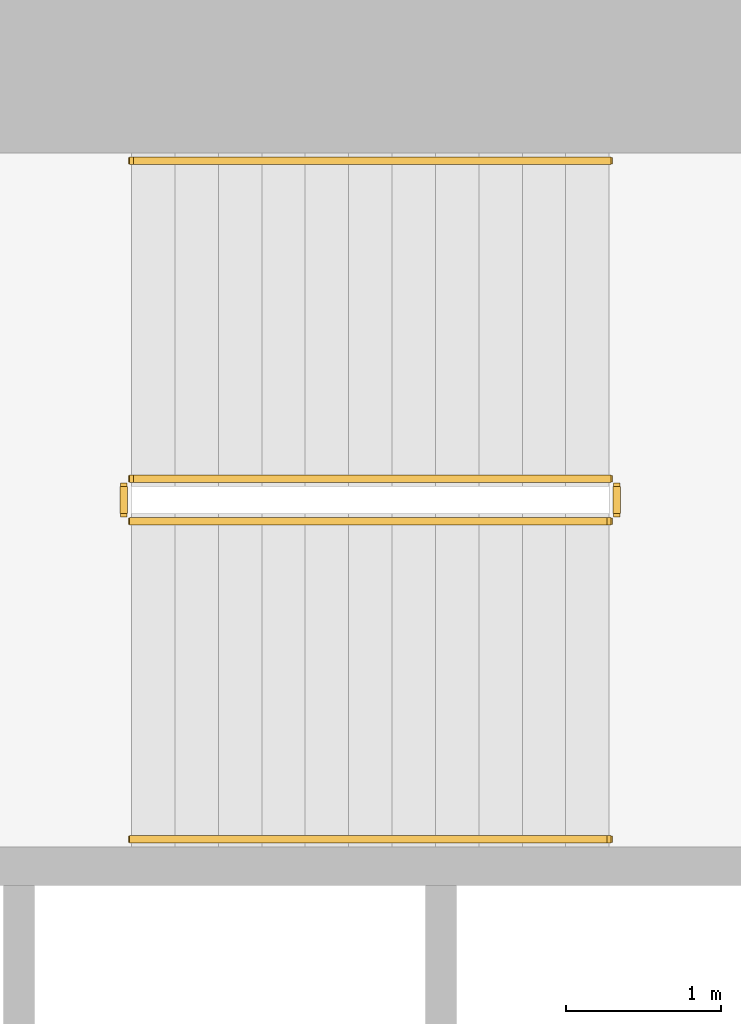
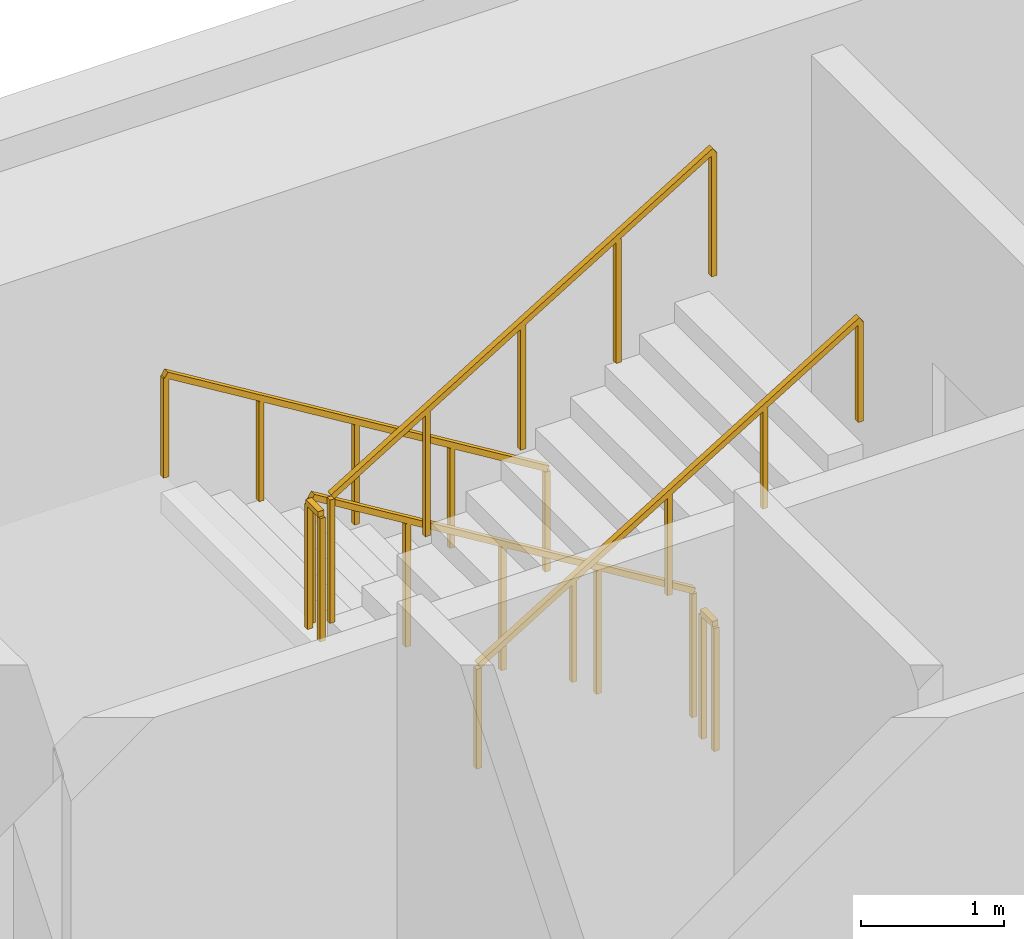
# One storey, part 15 of 16: 6 railings.
"""IFC4 building model written with IfcOpenShell, lengths in metres."""

from ifc_helpers import new_model, si_unit, direction, frame, origin, origin_2d, place, context, subcontext, project, spatial, rectangle, extrude, material, type_object, element, save


model = new_model("IFC4")

# Units and contexts
model_context = context("Model", 3, precision=1e-05, world=origin(), true_north=direction((0.0, 1.0)))
body_context = subcontext(model_context, "Body", "Model", "MODEL_VIEW")
ifc_project = project(units=[si_unit("LENGTHUNIT", "METRE"), si_unit("AREAUNIT", "SQUARE_METRE"), si_unit("VOLUMEUNIT", "CUBIC_METRE"), si_unit("PLANEANGLEUNIT", "RADIAN"), si_unit("MASSUNIT", "GRAM", prefix="KILO")], contexts=[model_context])

# Site, building, storey
site_placement = place(None, origin())
site = spatial("IfcSite", under=ifc_project, at=site_placement, CompositionType="ELEMENT")
building_placement = place(site_placement, origin())
building = spatial("IfcBuilding", under=site, at=building_placement, Name="Cypress Arch Tower", CompositionType="ELEMENT")
storey_placement = place(building_placement, frame((0.0, 0.0, 197.39990234375)))
storey = spatial("IfcBuildingStorey", under=building, at=storey_placement, Name="L43", CompositionType="ELEMENT", Elevation=197.39990234375)

# Railings
ifc_material_1 = material(Name="Black powder-coated steel square bar 48 mm", Category="steel")
railing_type_1 = type_object("IfcRailingType", Name="Stair handrail HR1", PredefinedType="HANDRAIL", material=ifc_material_1)
railing_1_placement = place(storey_placement, frame((-22.27490234375, 14.75, 0.1708984375)))
element("IfcRailing", 1, at=railing_1_placement, inside=storey, type_object=railing_type_1, Name="L43 B stair handrail 1", PredefinedType="HANDRAIL", context=body_context, shape_type="SweptSolid", body=[
    extrude(rectangle(XDim=0.048095703125, YDim=0.048095703125, at=origin_2d()), frame((0.0, 0.0, 0.8759765625), z_axis=(-0.853666305674, 0.0, 0.52082035152), x_axis=(0.0, -1.0, 0.0)), (0.0, 0.0, 1.0), 3.608154296875),
    extrude(rectangle(XDim=0.0419921875, YDim=0.0419921875, at=origin_2d()), origin(), (0.0, 0.0, 1.0), 0.851806640625),
    extrude(rectangle(XDim=0.0419921875, YDim=0.0419921875, at=origin_2d()), frame((-0.77001953125, 0.0, 0.4697265625)), (0.0, 0.0, 1.0), 0.851806640625),
    extrude(rectangle(XDim=0.0419921875, YDim=0.0419921875, at=origin_2d()), frame((-1.5400390625, 0.0, 0.939453125)), (0.0, 0.0, 1.0), 0.851806640625),
    extrude(rectangle(XDim=0.0419921875, YDim=0.0419921875, at=origin_2d()), frame((-2.31005859375, 0.0, 1.409423828125)), (0.0, 0.0, 1.0), 0.851806640625),
    extrude(rectangle(XDim=0.0419921875, YDim=0.0419921875, at=origin_2d()), frame((-3.080078125, 0.0, 1.879150390625)), (0.0, 0.0, 1.0), 0.851806640625),
])
railing_2_placement = place(storey_placement, frame((-25.35498046875, 10.375, 2.220947265625)))
element("IfcRailing", 2, at=railing_2_placement, inside=storey, type_object=railing_type_1, Name="L43 B stair handrail 2", PredefinedType="HANDRAIL", context=body_context, shape_type="SweptSolid", body=[
    extrude(rectangle(XDim=0.048095703125, YDim=0.048095703125, at=origin_2d()), frame((0.0, 0.0, 0.8759765625), z_axis=(0.853666305674, 0.0, 0.52082035152), x_axis=(0.0, 1.0, 0.0)), (0.0, 0.0, 1.0), 3.608154296875),
    extrude(rectangle(XDim=0.0419921875, YDim=0.0419921875, at=origin_2d()), origin(), (0.0, 0.0, 1.0), 0.851806640625),
    extrude(rectangle(XDim=0.0419921875, YDim=0.0419921875, at=origin_2d()), frame((0.77001953125, 0.0, 0.4697265625)), (0.0, 0.0, 1.0), 0.851806640625),
    extrude(rectangle(XDim=0.0419921875, YDim=0.0419921875, at=origin_2d()), frame((1.5400390625, 0.0, 0.939453125)), (0.0, 0.0, 1.0), 0.851806640625),
    extrude(rectangle(XDim=0.0419921875, YDim=0.0419921875, at=origin_2d()), frame((2.31005859375, 0.0, 1.409423828125)), (0.0, 0.0, 1.0), 0.851806640625),
    extrude(rectangle(XDim=0.0419921875, YDim=0.0419921875, at=origin_2d()), frame((3.080078125, 0.0, 1.879150390625)), (0.0, 0.0, 1.0), 0.851806640625),
])
ifc_material_2 = material(Name="Black powder-coated steel balusters", Category="steel")
railing_type_2 = type_object("IfcRailingType", Name="Stair well guard G1", PredefinedType="GUARDRAIL", material=ifc_material_2)
railing_3_placement = place(storey_placement, frame((-22.27490234375, 12.699951171875, 0.1708984375)))
element("IfcRailing", 3, at=railing_3_placement, inside=storey, type_object=railing_type_2, Name="L43 B stair guard 1", PredefinedType="GUARDRAIL", context=body_context, shape_type="SweptSolid", body=[
    extrude(rectangle(XDim=0.048095703125, YDim=0.048095703125, at=origin_2d()), frame((0.0, 0.0, 1.076171875), z_axis=(-0.853666305674, 0.0, 0.52082035152), x_axis=(0.0, -1.0, 0.0)), (0.0, 0.0, 1.0), 3.608154296875),
    extrude(rectangle(XDim=0.0419921875, YDim=0.0419921875, at=origin_2d()), origin(), (0.0, 0.0, 1.0), 1.052001953125),
    extrude(rectangle(XDim=0.0419921875, YDim=0.0419921875, at=origin_2d()), frame((-0.77001953125, 0.0, 0.4697265625)), (0.0, 0.0, 1.0), 1.052001953125),
    extrude(rectangle(XDim=0.0419921875, YDim=0.0419921875, at=origin_2d()), frame((-1.5400390625, 0.0, 0.939453125)), (0.0, 0.0, 1.0), 1.052001953125),
    extrude(rectangle(XDim=0.0419921875, YDim=0.0419921875, at=origin_2d()), frame((-2.31005859375, 0.0, 1.409423828125)), (0.0, 0.0, 1.0), 1.052001953125),
    extrude(rectangle(XDim=0.0419921875, YDim=0.0419921875, at=origin_2d()), frame((-3.080078125, 0.0, 1.879150390625)), (0.0, 0.0, 1.0), 1.052001953125),
])
railing_4_placement = place(storey_placement, frame((-25.405029296875, 12.64990234375, 2.050048828125)))
element("IfcRailing", 4, at=railing_4_placement, inside=storey, type_object=railing_type_2, Name="L43 B stair guard 2", PredefinedType="GUARDRAIL", context=body_context, shape_type="SweptSolid", body=[
    extrude(rectangle(XDim=0.048095703125, YDim=0.048095703125, at=origin_2d()), frame((0.0, 0.0, 1.076171875), z_axis=(0.0, -1.0, 0.0), x_axis=(1.0, 0.0, 0.0)), (0.0, 0.0, 1.0), 0.1748046875),
    extrude(rectangle(XDim=0.0419921875, YDim=0.0419921875, at=origin_2d()), origin(), (0.0, 0.0, 1.0), 1.052001953125),
    extrude(rectangle(XDim=0.0419921875, YDim=0.0419921875, at=origin_2d()), frame((0.0, -0.1748046875, 0.0)), (0.0, 0.0, 1.0), 1.052001953125),
])
railing_5_placement = place(storey_placement, frame((-25.35498046875, 12.425048828125, 2.220947265625)))
element("IfcRailing", 5, at=railing_5_placement, inside=storey, type_object=railing_type_2, Name="L43 B stair guard 3", PredefinedType="GUARDRAIL", context=body_context, shape_type="SweptSolid", body=[
    extrude(rectangle(XDim=0.048095703125, YDim=0.048095703125, at=origin_2d()), frame((0.0, 0.0, 1.076171875), z_axis=(0.853666305674, 0.0, 0.52082035152), x_axis=(0.0, 1.0, 0.0)), (0.0, 0.0, 1.0), 3.608154296875),
    extrude(rectangle(XDim=0.0419921875, YDim=0.0419921875, at=origin_2d()), origin(), (0.0, 0.0, 1.0), 1.052001953125),
    extrude(rectangle(XDim=0.0419921875, YDim=0.0419921875, at=origin_2d()), frame((0.77001953125, 0.0, 0.4697265625)), (0.0, 0.0, 1.0), 1.052001953125),
    extrude(rectangle(XDim=0.0419921875, YDim=0.0419921875, at=origin_2d()), frame((1.5400390625, 0.0, 0.939453125)), (0.0, 0.0, 1.0), 1.052001953125),
    extrude(rectangle(XDim=0.0419921875, YDim=0.0419921875, at=origin_2d()), frame((2.31005859375, 0.0, 1.409423828125)), (0.0, 0.0, 1.0), 1.052001953125),
    extrude(rectangle(XDim=0.0419921875, YDim=0.0419921875, at=origin_2d()), frame((3.080078125, 0.0, 1.879150390625)), (0.0, 0.0, 1.0), 1.052001953125),
])
railing_6_placement = place(storey_placement, frame((-22.22509765625, 12.64990234375, 0.0)))
element("IfcRailing", 6, at=railing_6_placement, inside=storey, type_object=railing_type_2, Name="L43 B stair guard 4", PredefinedType="GUARDRAIL", context=body_context, shape_type="SweptSolid", body=[
    extrude(rectangle(XDim=0.048095703125, YDim=0.048095703125, at=origin_2d()), frame((0.0, 0.0, 1.076171875), z_axis=(0.0, -1.0, 0.0), x_axis=(1.0, 0.0, 0.0)), (0.0, 0.0, 1.0), 0.1748046875),
    extrude(rectangle(XDim=0.0419921875, YDim=0.0419921875, at=origin_2d()), origin(), (0.0, 0.0, 1.0), 1.052001953125),
    extrude(rectangle(XDim=0.0419921875, YDim=0.0419921875, at=origin_2d()), frame((0.0, -0.1748046875, 0.0)), (0.0, 0.0, 1.0), 1.052001953125),
])

save(model, "model.ifc")
